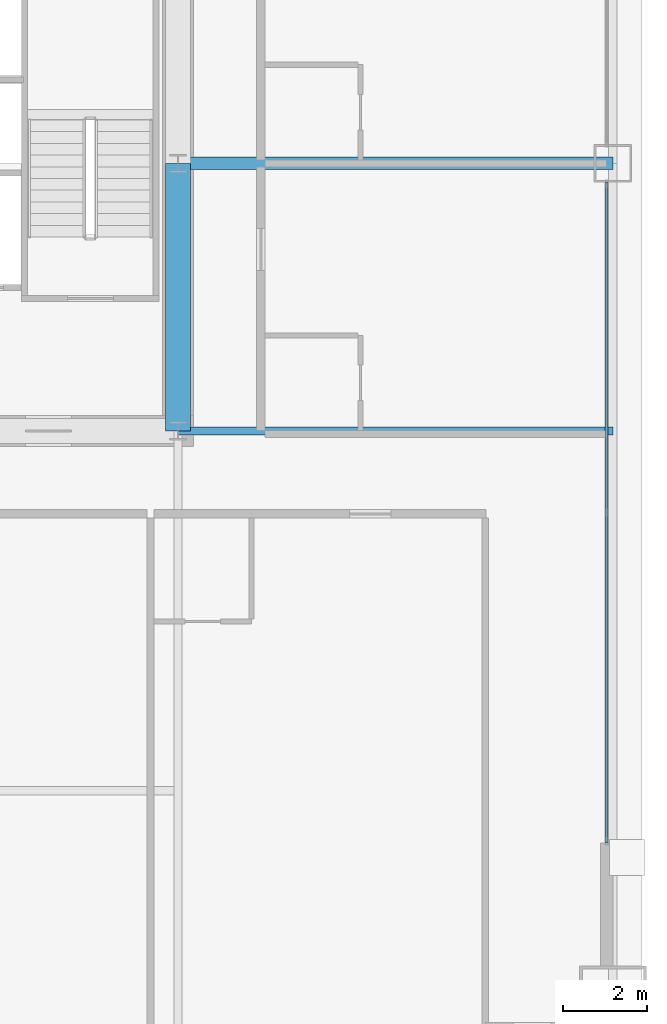
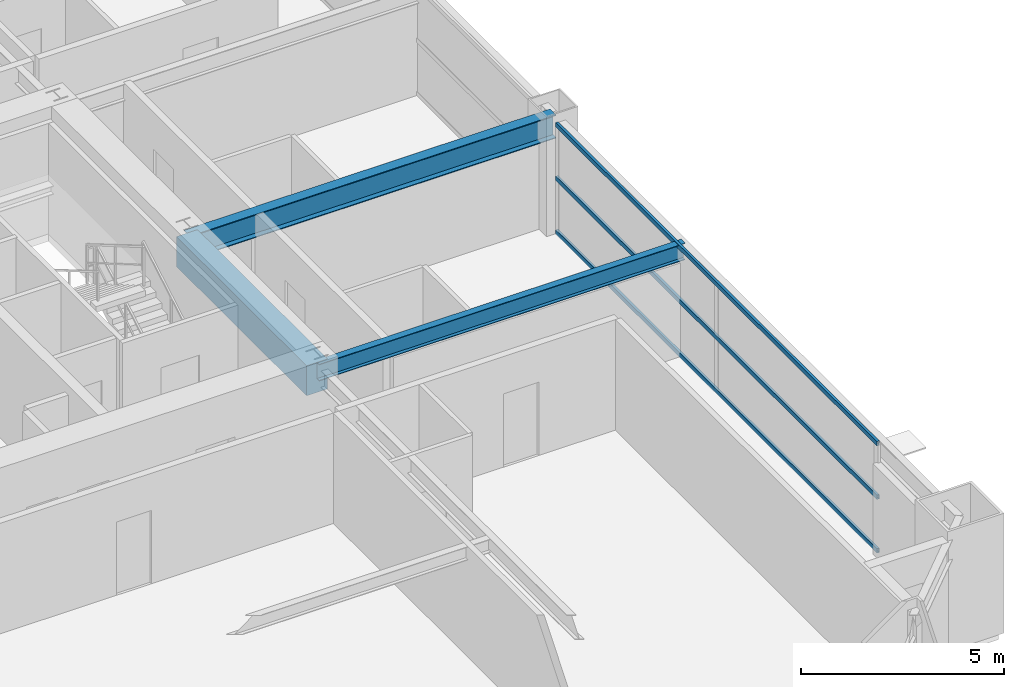
# One storey, part 18 of 38: 3 beams, 3 members, 1 element without a shape of its own.
"""IFC4 building model written with IfcOpenShell, lengths in metres."""

from ifc_helpers import new_model, si_unit, direction, frame, origin, origin_2d, place, context, subcontext, project, spatial, rectangle, hollow_rectangle, i_section, extrude, source, transform, mapped, material, layer, layer_set, material_profile, profile_set, type_object, element, aggregate, save


model = new_model("IFC4")

# Units and contexts
model_context = context("Model", 3, precision=1e-05, world=origin(), true_north=direction((0.0, 1.0)))
body_context = subcontext(model_context, "Body", "Model", "MODEL_VIEW")
ifc_project = project(units=[si_unit("LENGTHUNIT", "METRE"), si_unit("AREAUNIT", "SQUARE_METRE"), si_unit("VOLUMEUNIT", "CUBIC_METRE"), si_unit("PLANEANGLEUNIT", "RADIAN"), si_unit("MASSUNIT", "GRAM", prefix="KILO"), si_unit("THERMODYNAMICTEMPERATUREUNIT", "KELVIN"), si_unit("POWERUNIT", "WATT")], contexts=[model_context])

# Site, building, storey
site_placement = place(None, origin())
site = spatial("IfcSite", under=ifc_project, at=site_placement, CompositionType="ELEMENT")
building_placement = place(site_placement, origin())
building = spatial("IfcBuilding", under=site, at=building_placement, Name="Yuzanri Waterfront Tower", CompositionType="ELEMENT")
storey_placement = place(building_placement, frame((0.0, 0.0, 126.199951171875)))
storey = spatial("IfcBuildingStorey", under=building, at=storey_placement, Name="L33", CompositionType="ELEMENT", Elevation=126.199951171875)

# Beams
ifc_material_1 = material(Name="Concrete C60", Category="concrete")
ifc_material_profile_1 = material_profile(ifc_material_1, rectangle(XDim=0.60009765625, YDim=0.89990234375, at=origin_2d()), Name="RC 600x900")
ifc_profile_set_1 = profile_set([ifc_material_profile_1], Name="Concrete C60")
beam_type_1 = type_object("IfcBeamType", Name="Core Coupling Lintel Concrete C60 600x900", PredefinedType="LINTEL", material=ifc_profile_set_1)
shared_shape_1 = source(origin(), body_context, "Body", "SweptSolid", [
    extrude(rectangle(XDim=0.60009765625, YDim=0.89990234375, at=origin_2d()), origin(), (0.0, 0.0, 1.0), 6.400146484375),
])
beam_1_placement = place(storey_placement, frame((50.199951171875, 19.39990234375, 2.8701171875), z_axis=(0.0, 1.0, 0.0), x_axis=(-1.0, 0.0, 0.0)))
element("IfcBeam", 1, at=beam_1_placement, inside=storey, type_object=beam_type_1, Name="L33 Core Tie Beam CE1", PredefinedType="LINTEL", context=body_context, shape_type="MappedRepresentation", body=[
    mapped(shared_shape_1, transform((0.0, 0.0, 0.0), scale=1.0)),
])
ifc_material_2 = material(Name="Steel Q355B", Category="steel")
ifc_material_profile_2 = material_profile(ifc_material_2, i_section(OverallWidth=0.300048828125, OverallDepth=0.699951171875, WebThickness=0.012939453125, FlangeThickness=0.02392578125, at=origin_2d()), Name="HN 700x300x13x24")
ifc_profile_set_2 = profile_set([ifc_material_profile_2], Name="Steel Q355B")
beam_type_2 = type_object("IfcBeamType", Name="Primary Floor Girder Q355B HN 700x300", PredefinedType="BEAM", material=ifc_profile_set_2)
shared_shape_2 = source(origin(), body_context, "Body", "SweptSolid", [
    extrude(i_section(OverallWidth=0.300048828125, OverallDepth=0.699951171875, WebThickness=0.012939453125, FlangeThickness=0.02392578125, at=origin_2d()), origin(), (0.0, 0.0, 1.0), 10.400146484375),
])
beam_2_placement = place(storey_placement, frame((50.199951171875, 25.800048828125, 2.969970703125), z_axis=(1.0, 0.0, 0.0), x_axis=(0.0, 1.0, 0.0)))
element("IfcBeam", 2, at=beam_2_placement, inside=storey, type_object=beam_type_2, Name="L33 East Grid Girder", PredefinedType="BEAM", context=body_context, shape_type="MappedRepresentation", body=[
    mapped(shared_shape_2, transform((0.0, 0.0, 0.0), scale=1.0)),
])
ifc_material_3 = material(Name="Steel Q355B", Category="steel")
ifc_material_profile_3 = material_profile(ifc_material_3, i_section(OverallWidth=0.199951171875, OverallDepth=0.5, WebThickness=0.010009765625, FlangeThickness=0.01611328125, at=origin_2d()), Name="HN 500x200x10x16")
ifc_profile_set_3 = profile_set([ifc_material_profile_3], Name="Steel Q355B")
beam_type_3 = type_object("IfcBeamType", Name="Secondary Floor Beam Q355B HN 500x200", PredefinedType="BEAM", material=ifc_profile_set_3)
shared_shape_3 = source(origin(), body_context, "Body", "SweptSolid", [
    extrude(i_section(OverallWidth=0.199951171875, OverallDepth=0.5, WebThickness=0.010009765625, FlangeThickness=0.01611328125, at=origin_2d()), origin(), (0.0, 0.0, 1.0), 10.400146484375),
])
beam_3_placement = place(storey_placement, frame((50.199951171875, 19.39990234375, 3.070068359375), z_axis=(1.0, 0.0, 0.0), x_axis=(0.0, 1.0, 0.0)))
element("IfcBeam", 3, at=beam_3_placement, inside=storey, type_object=beam_type_3, Name="L33 East-South Core Line Beam", PredefinedType="BEAM", context=body_context, shape_type="MappedRepresentation", body=[
    mapped(shared_shape_3, transform((0.0, 0.0, 0.0), scale=1.0)),
])

# Curtain wall, members
ifc_material_4 = material(Name="Anodized Architectural Bronze", Category="metal")
ifc_layer = layer(ifc_material_4, 0.159912109375)
ifc_layer_set = layer_set([ifc_layer], Name="Anodized Architectural Bronze")
curtain_wall_type = type_object("IfcCurtainWallType", Name="Anodized Bronze Hotel Upper-Tier Solar-Control Unitized Curtain Wall 7800", PredefinedType="NOTDEFINED", material=ifc_layer_set)
curtain_wall_placement = place(storey_placement, origin())
curtain_wall = element("IfcCurtainWall", 4, at=curtain_wall_placement, inside=storey, type_object=curtain_wall_type, Name="L33 Curtain Wall CW-L33-EL", PredefinedType="NOTDEFINED")
ifc_material_5 = material(Name="Anodized Architectural Bronze", Category="metal")
ifc_material_profile_4 = material_profile(ifc_material_5, hollow_rectangle(XDim=0.070068359375, YDim=0.135009765625, WallThickness=0.00341796875, at=origin_2d()), Name="CWT 70x135")
ifc_profile_set_4 = profile_set([ifc_material_profile_4], Name="Anodized Architectural Bronze")
member_type = type_object("IfcMemberType", Name="Anodized Bronze Standard Curtain-Wall Transom 70x135", PredefinedType="USERDEFINED", material=ifc_profile_set_4)
shared_shape_4 = source(origin(), body_context, "Body", "SweptSolid", [
    extrude(hollow_rectangle(XDim=0.070068359375, YDim=0.135009765625, WallThickness=0.00341796875, at=origin_2d()), origin(), (0.0, 0.0, 1.0), 15.800048828125),
])
member_1_placement = place(storey_placement, frame((60.449951171875, 9.550048828125, 0.050048828125), z_axis=(0.0, 1.0, 0.0), x_axis=(-1.0, 0.0, 0.0)))
member_1 = element("IfcMember", 5, at=member_1_placement, type_object=member_type, Name="CW-L33-EL Transom 1", ObjectType="TRANSOM", PredefinedType="USERDEFINED", context=body_context, shape_type="MappedRepresentation", body=[
    mapped(shared_shape_4, transform((0.0, 0.0, 0.0), scale=1.0)),
])
member_2_placement = place(storey_placement, frame((60.449951171875, 9.550048828125, 1.66015625), z_axis=(0.0, 1.0, 0.0), x_axis=(-1.0, 0.0, 0.0)))
member_2 = element("IfcMember", 6, at=member_2_placement, type_object=member_type, Name="CW-L33-EL Transom 2", ObjectType="TRANSOM", PredefinedType="USERDEFINED", context=body_context, shape_type="MappedRepresentation", body=[
    mapped(shared_shape_4, transform((0.0, 0.0, 0.0), scale=1.0)),
])
member_3_placement = place(storey_placement, frame((60.449951171875, 9.550048828125, 3.27001953125), z_axis=(0.0, 1.0, 0.0), x_axis=(-1.0, 0.0, 0.0)))
member_3 = element("IfcMember", 7, at=member_3_placement, type_object=member_type, Name="CW-L33-EL Transom 3", ObjectType="TRANSOM", PredefinedType="USERDEFINED", context=body_context, shape_type="MappedRepresentation", body=[
    mapped(shared_shape_4, transform((0.0, 0.0, 0.0), scale=1.0)),
])
aggregate(curtain_wall, [member_1, member_2, member_3])

save(model, "model.ifc")
